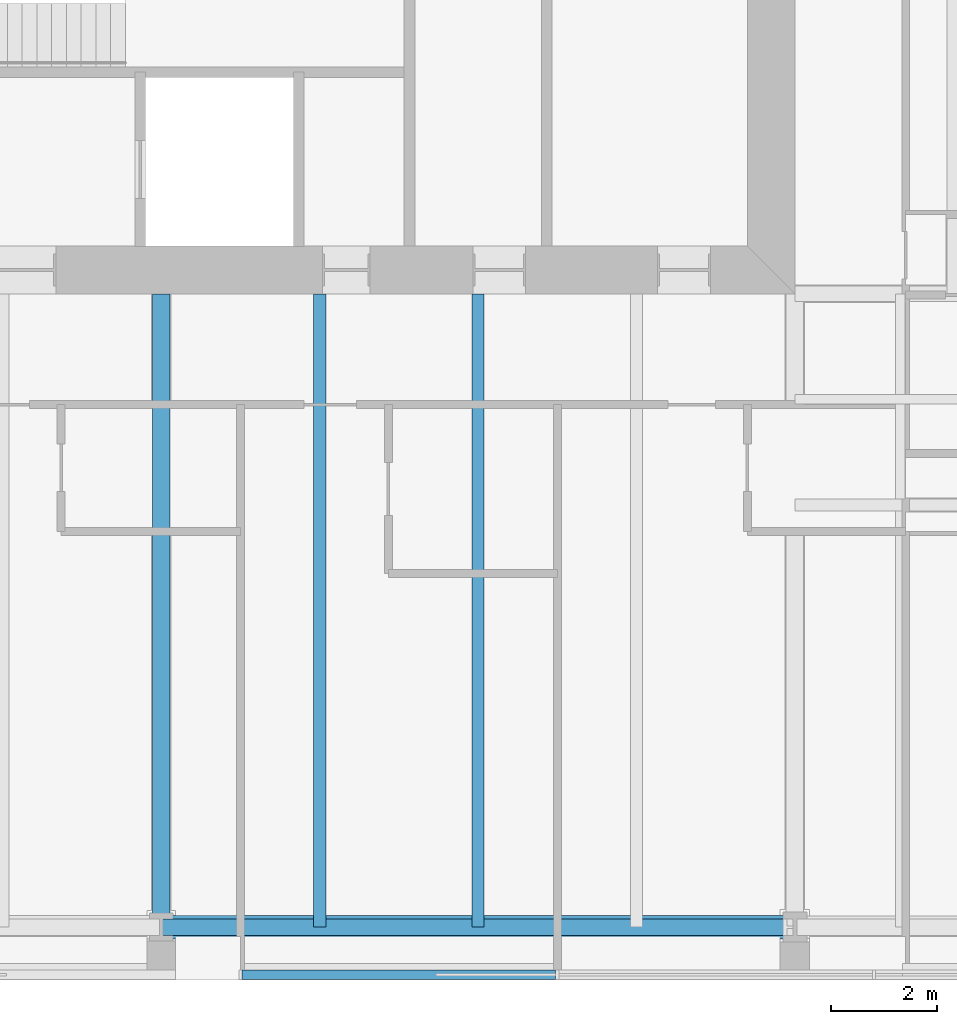
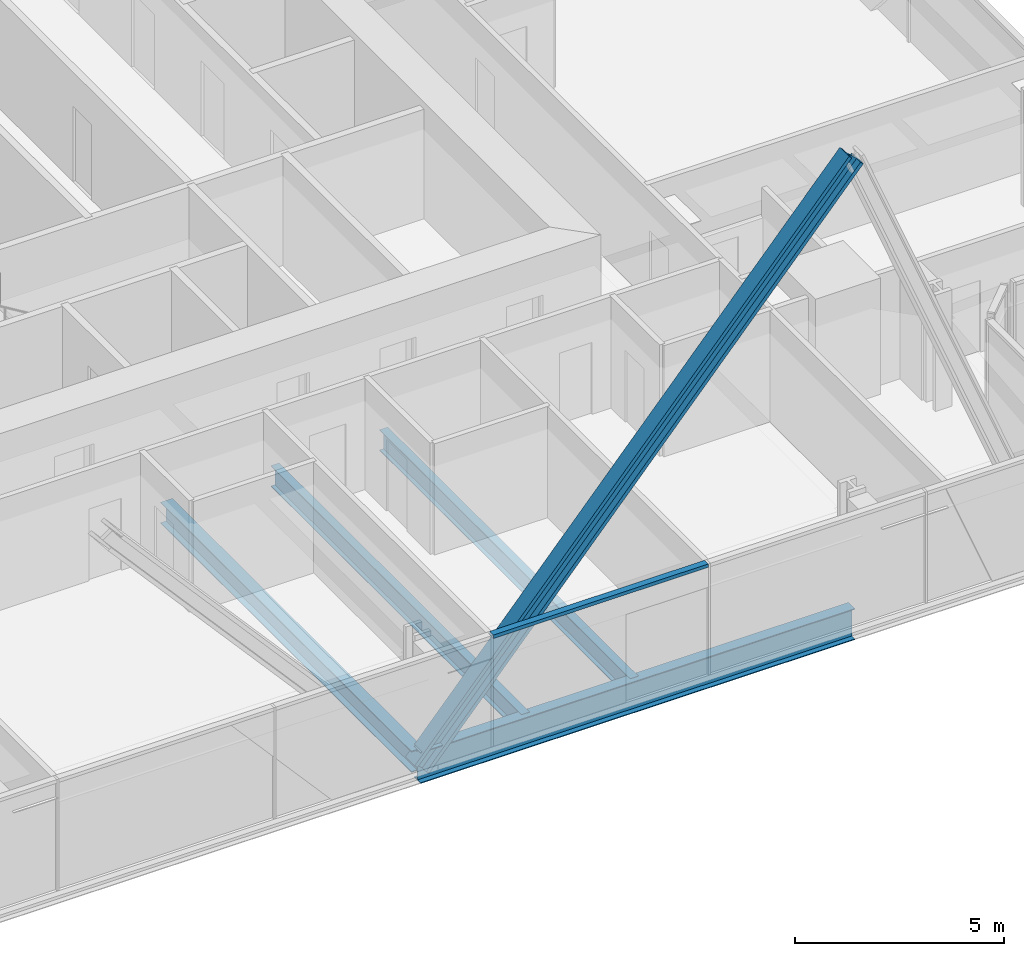
# One storey, part 3 of 20: 4 beams, 2 members, 1 element without a shape of its own.
"""IFC4 building model written with IfcOpenShell, lengths in metres."""

from ifc_helpers import new_model, si_unit, direction, frame, origin, origin_2d, place, context, subcontext, project, spatial, rectangle, i_section, extrude, material, material_profile, profile_set, type_object, element, aggregate, save


model = new_model("IFC4")

# Units and contexts
model_context = context("Model", 3, precision=1e-05, world=origin(), true_north=direction((0.0, 1.0)))
body_context = subcontext(model_context, "Body", "Model", "MODEL_VIEW")
ifc_project = project(units=[si_unit("LENGTHUNIT", "METRE"), si_unit("AREAUNIT", "SQUARE_METRE"), si_unit("VOLUMEUNIT", "CUBIC_METRE"), si_unit("PLANEANGLEUNIT", "RADIAN"), si_unit("MASSUNIT", "GRAM", prefix="KILO")], contexts=[model_context])

# Site, building, storey
site_placement = place(None, origin())
site = spatial("IfcSite", under=ifc_project, at=site_placement, CompositionType="ELEMENT")
building_placement = place(site_placement, origin())
building = spatial("IfcBuilding", under=site, at=building_placement, Name="Fenwick Lantern Interchange", CompositionType="ELEMENT")
storey_placement = place(building_placement, frame((0.0, 0.0, 256.0)))
storey = spatial("IfcBuildingStorey", under=building, at=storey_placement, Name="L60", CompositionType="ELEMENT", Elevation=256.0)

# Beam
ifc_material_1 = material(Name="Steel ASTM A992 Grade 50", Category="steel")
ifc_material_profile_1 = material_profile(ifc_material_1, i_section(OverallWidth=0.3046875, OverallDepth=0.911865234375, WebThickness=0.015869140625, FlangeThickness=0.02392578125, at=origin_2d()), Name="W36X150")
ifc_profile_set_1 = profile_set([ifc_material_profile_1], Name="Steel ASTM A992 Grade 50")
beam_type_1 = type_object("IfcBeamType", Name="EDGE BEAM W36X150", PredefinedType="SPANDREL", material=ifc_profile_set_1)
beam_1_placement = place(storey_placement, frame((25.0, 1.0, -0.60595703125), z_axis=(1.0, 0.0, 0.0), x_axis=(0.0, 1.0, 0.0)))
element("IfcBeam", 1, at=beam_1_placement, inside=storey, type_object=beam_type_1, Name="L60/FR/S/EB3", PredefinedType="SPANDREL", context=body_context, shape_type="SweptSolid", body=[
    extrude(i_section(OverallWidth=0.3046875, OverallDepth=0.911865234375, WebThickness=0.015869140625, FlangeThickness=0.02392578125, at=origin_2d()), origin(), (0.0, 0.0, 1.0), 12.0),
])

# Member
ifc_material_profile_2 = material_profile(ifc_material_1, i_section(OverallWidth=0.44189453125, OverallDepth=0.53076171875, WebThickness=0.06591796875, FlangeThickness=0.105712890625, at=origin_2d()), Name="W14X605")
ifc_profile_set_2 = profile_set([ifc_material_profile_2], Name="Steel ASTM A992 Grade 50")
member_type_1 = type_object("IfcMemberType", Name="FACADE BRACE W14X605", PredefinedType="BRACE", material=ifc_profile_set_2)
member_1_placement = place(storey_placement, frame((25.0, 1.0, -0.60595703125), z_axis=(0.661618965899, 0.0, 0.749840212287), x_axis=(0.0, 1.0, 0.0)))
element("IfcMember", 2, at=member_1_placement, inside=storey, type_object=member_type_1, Name="L60/FB/S/B", PredefinedType="BRACE", context=body_context, shape_type="SweptSolid", body=[
    extrude(i_section(OverallWidth=0.44189453125, OverallDepth=0.53076171875, WebThickness=0.06591796875, FlangeThickness=0.105712890625, at=origin_2d()), origin(), (0.0, 0.0, 1.0), 18.13720703125),
])

# Beams
ifc_material_profile_3 = material_profile(ifc_material_1, i_section(OverallWidth=0.22900390625, OverallDepth=0.612060546875, WebThickness=0.011962890625, FlangeThickness=0.01953125, at=origin_2d()), Name="W24X84")
ifc_profile_set_3 = profile_set([ifc_material_profile_3], Name="Steel ASTM A992 Grade 50")
beam_type_2 = type_object("IfcBeamType", Name="FLOOR BEAM W24X84", PredefinedType="BEAM", material=ifc_profile_set_3)
for number, where, z_axis, x_axis, name in (
    (3, (28.0, 1.0, -0.4560546875), (0.0, 1.0, 0.0), (-1.0, 0.0, 0.0), "L60/FR/S/R06"),
    (4, (31.0, 1.0, -0.4560546875), (0.0, 1.0, 0.0), (-1.0, 0.0, 0.0), "L60/FR/S/R07"),
):
    element("IfcBeam", number, at=place(storey_placement, frame(where, z_axis=z_axis, x_axis=x_axis)), inside=storey, type_object=beam_type_2, Name=name, PredefinedType="BEAM", context=body_context, shape_type="SweptSolid", body=[
        extrude(i_section(OverallWidth=0.22900390625, OverallDepth=0.612060546875, WebThickness=0.011962890625, FlangeThickness=0.01953125, at=origin_2d()), origin(), (0.0, 0.0, 1.0), 12.0),
    ])

# Curtain wall, member
ifc_material_2 = material(Name="Aluminium curtain wall frame", Category="aluminium")
curtain_wall_type = type_object("IfcCurtainWallType", Name="HOTEL CURTAIN WALL", PredefinedType="USERDEFINED", material=ifc_material_2)
curtain_wall_placement = place(storey_placement, origin())
curtain_wall = element("IfcCurtainWall", 5, at=curtain_wall_placement, inside=storey, type_object=curtain_wall_type, Name="Hotel curtain wall 01", ObjectType="HOTEL CURTAIN WALL", PredefinedType="USERDEFINED")
ifc_material_3 = material(Name="Aluminium extrusion", Category="aluminium")
ifc_material_profile_4 = material_profile(ifc_material_3, rectangle(XDim=0.179931640625, YDim=0.10009765625, at=origin_2d()), Name="HOTEL CURTAIN WALL TRANSOM 100 X 180")
ifc_profile_set_4 = profile_set([ifc_material_profile_4], Name="Aluminium extrusion")
member_type_2 = type_object("IfcMemberType", Name="HOTEL CURTAIN WALL TRANSOM 100 X 180", PredefinedType="MULLION", material=ifc_profile_set_4)
member_2_placement = place(storey_placement, frame((26.530029296875, 0.10009765625, 3.199951171875), z_axis=(1.0, 0.0, 0.0), x_axis=(0.0, 1.0, 0.0)))
member_2 = element("IfcMember", 6, at=member_2_placement, type_object=member_type_2, Name="L60/CW/01/T04", PredefinedType="MULLION", context=body_context, shape_type="SweptSolid", body=[
    extrude(rectangle(XDim=0.179931640625, YDim=0.10009765625, at=origin_2d()), origin(), (0.0, 0.0, 1.0), 5.93994140625),
])
aggregate(curtain_wall, [member_2])

# Beam
ifc_material_profile_5 = material_profile(ifc_material_1, i_section(OverallWidth=0.32763671875, OverallDepth=0.622314453125, WebThickness=0.015380859375, FlangeThickness=0.0244140625, at=origin_2d()), Name="W24X131")
ifc_profile_set_5 = profile_set([ifc_material_profile_5], Name="Steel ASTM A992 Grade 50")
beam_type_3 = type_object("IfcBeamType", Name="MOMENT-CONNECTED GIRDER W24X131", PredefinedType="BEAM", material=ifc_profile_set_5)
beam_2_placement = place(storey_placement, frame((25.0, 1.0, -0.461181640625), z_axis=(0.0, 1.0, 0.0), x_axis=(-1.0, 0.0, 0.0)))
element("IfcBeam", 7, at=beam_2_placement, inside=storey, type_object=beam_type_3, Name="L60/FR/S/R05", PredefinedType="BEAM", context=body_context, shape_type="SweptSolid", body=[
    extrude(i_section(OverallWidth=0.32763671875, OverallDepth=0.622314453125, WebThickness=0.015380859375, FlangeThickness=0.0244140625, at=origin_2d()), origin(), (0.0, 0.0, 1.0), 12.0),
])

save(model, "model.ifc")
